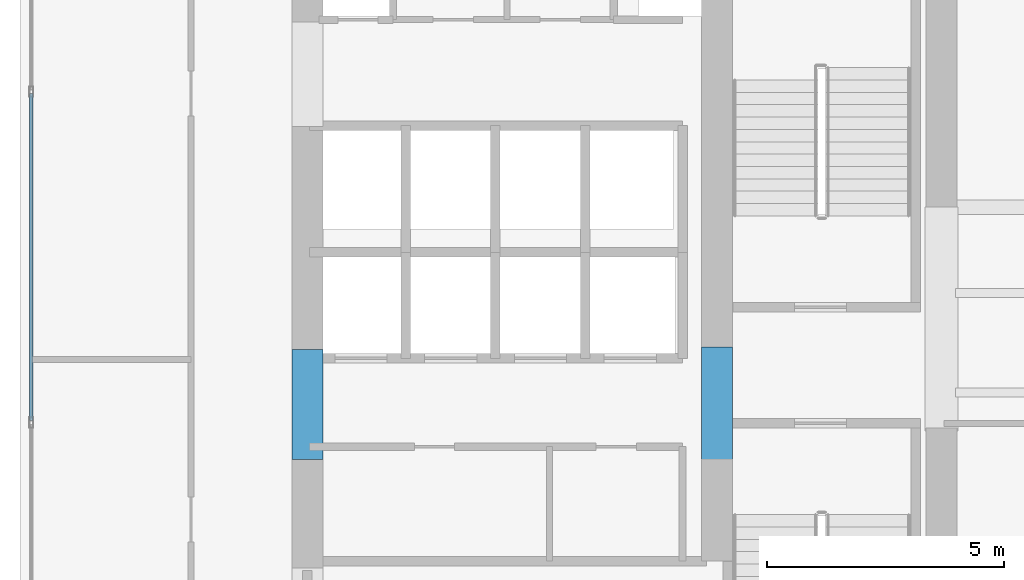
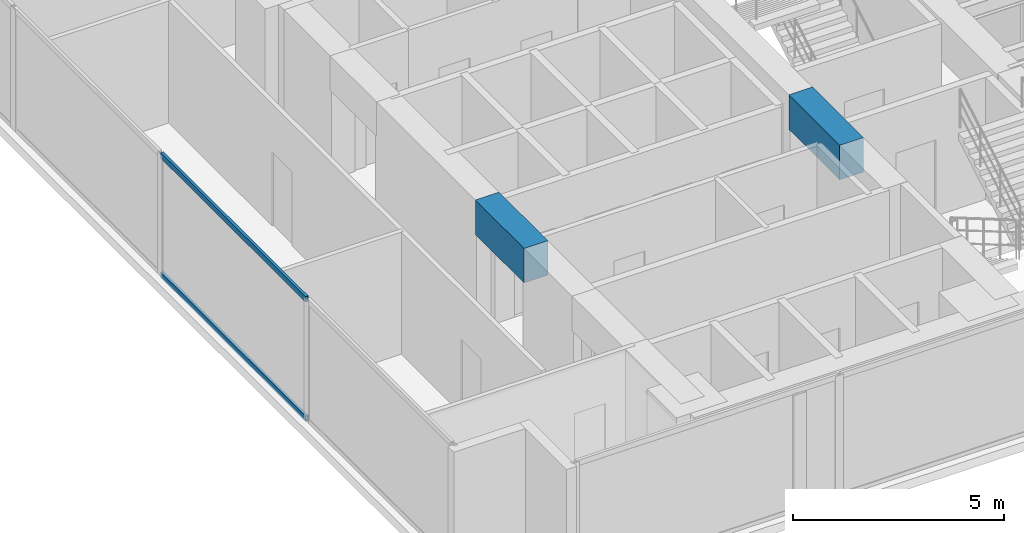
# One storey, part 3 of 29: 2 beams, 2 members, 1 element without a shape of its own.
"""IFC4 building model written with IfcOpenShell, lengths in metres."""

from ifc_helpers import new_model, si_unit, direction, frame, origin, origin_with_axes, origin_2d, place, context, subcontext, project, spatial, rectangle, hollow_rectangle, extrude, source, transform, mapped, material, layer, layer_set, material_profile, profile_set, type_object, element, aggregate, save


model = new_model("IFC4")

# Units and contexts
model_context = context("Model", 3, precision=1e-05, world=origin(), true_north=direction((0.0, 1.0)))
body_context = subcontext(model_context, "Body", "Model", "MODEL_VIEW")
ifc_project = project(units=[si_unit("LENGTHUNIT", "METRE"), si_unit("AREAUNIT", "SQUARE_METRE"), si_unit("VOLUMEUNIT", "CUBIC_METRE"), si_unit("PLANEANGLEUNIT", "RADIAN"), si_unit("MASSUNIT", "GRAM", prefix="KILO")], contexts=[model_context])

# Site, building, storey
site_placement = place(None, origin())
site = spatial("IfcSite", under=ifc_project, at=site_placement, CompositionType="ELEMENT")
building_placement = place(site_placement, origin())
building = spatial("IfcBuilding", under=site, at=building_placement, Name="Kolvaren Waterfront Exchange", CompositionType="ELEMENT")
storey_placement = place(building_placement, frame((0.0, 0.0, 129.699951171875)))
storey = spatial("IfcBuildingStorey", under=building, at=storey_placement, Name="L33", CompositionType="ELEMENT", Elevation=129.699951171875)

# Beams
ifc_material_1 = material(Name="Concrete C60/75", Category="concrete")
ifc_material_profile_1 = material_profile(ifc_material_1, rectangle(XDim=0.64990234375, YDim=1.0, at=origin_2d()), Name="RC-CB-1000x650")
ifc_profile_set_1 = profile_set([ifc_material_profile_1], Name="Concrete C60/75")
beam_type = type_object("IfcBeamType", Name="STR-CB-1000", PredefinedType="SPANDREL", material=ifc_profile_set_1)
beam_1_placement = place(storey_placement, frame((7.449951171875, 12.090087890625, 3.0400390625), z_axis=(0.0, 1.0, 0.0), x_axis=(-1.0, 0.0, 0.0)))
element("IfcBeam", 1, at=beam_1_placement, inside=storey, type_object=beam_type, Name="L33 core coupling beam 4", PredefinedType="SPANDREL", context=body_context, shape_type="SweptSolid", body=[
    extrude(rectangle(XDim=0.64990234375, YDim=1.0, at=origin_2d()), origin(), (0.0, 0.0, 1.0), 2.31982421875),
])
beam_2_placement = place(storey_placement, frame((16.074951171875, 12.0400390625, 3.0400390625), z_axis=(0.0, 1.0, 0.0), x_axis=(-1.0, 0.0, 0.0)))
element("IfcBeam", 2, at=beam_2_placement, inside=storey, type_object=beam_type, Name="L33 core coupling beam 6", PredefinedType="SPANDREL", context=body_context, shape_type="SweptSolid", body=[
    extrude(rectangle(XDim=0.64990234375, YDim=1.0, at=origin_2d()), origin(), (0.0, 0.0, 1.0), 2.419921875),
])

# Curtain wall, members
ifc_material_2 = material(Name="Anodised aluminium 6063-T6", Category="aluminium")
ifc_layer = layer(ifc_material_2, 0.219970703125, Name="Anodised aluminium 6063-T6")
ifc_layer_set = layer_set([ifc_layer], Name="Anodised aluminium 6063-T6")
curtain_wall_type = type_object("IfcCurtainWallType", Name="ARC-CW-SYS2", PredefinedType="USERDEFINED", material=ifc_layer_set)
curtain_wall_placement = place(storey_placement, origin())
curtain_wall = element("IfcCurtainWall", 3, at=curtain_wall_placement, inside=storey, type_object=curtain_wall_type, Name="L33 stick curtain wall CW2 (CW-L33-W)", ObjectType="STICK CURTAIN WALL", PredefinedType="USERDEFINED")
ifc_material_profile_2 = material_profile(ifc_material_2, hollow_rectangle(XDim=0.074951171875, YDim=0.159912109375, WallThickness=0.00439453125, at=origin_2d()), Name="ALU-TRN-160x75x4.5")
ifc_profile_set_2 = profile_set([ifc_material_profile_2], Name="Anodised aluminium 6063-T6")
member_type = type_object("IfcMemberType", Name="ARC-CWT-160", PredefinedType="USERDEFINED", material=ifc_profile_set_2)
shared_shape = source(origin_with_axes(), body_context, "Body", "SweptSolid", [
    extrude(hollow_rectangle(XDim=0.074951171875, YDim=0.159912109375, WallThickness=0.00439453125, at=origin_2d()), origin(), (0.0, 0.0, 1.0), 6.886474609375),
])
member_1_placement = place(storey_placement, frame((1.639892578125, 12.90673828125, 0.03759765625), z_axis=(0.0, 1.0, 0.0), x_axis=(-1.0, 0.0, 0.0)))
member_1 = element("IfcMember", 4, at=member_1_placement, type_object=member_type, Name="CW2 transom 2.1", ObjectType="TRANSOM", PredefinedType="USERDEFINED", context=body_context, shape_type="MappedRepresentation", body=[
    mapped(shared_shape, transform((0.0, 0.0, 0.0), x_axis=(1.0, 0.0, 0.0), y_axis=(0.0, 1.0, 0.0), z_axis=(0.0, 0.0, 1.0), scale=1.0)),
])
member_2_placement = place(storey_placement, frame((1.639892578125, 12.90673828125, 3.50244140625), z_axis=(0.0, 1.0, 0.0), x_axis=(-1.0, 0.0, 0.0)))
member_2 = element("IfcMember", 5, at=member_2_placement, type_object=member_type, Name="CW2 transom 2.2", ObjectType="TRANSOM", PredefinedType="USERDEFINED", context=body_context, shape_type="MappedRepresentation", body=[
    mapped(shared_shape, transform((0.0, 0.0, 0.0), x_axis=(1.0, 0.0, 0.0), y_axis=(0.0, 1.0, 0.0), z_axis=(0.0, 0.0, 1.0), scale=1.0)),
])
aggregate(curtain_wall, [member_1, member_2])

save(model, "model.ifc")
